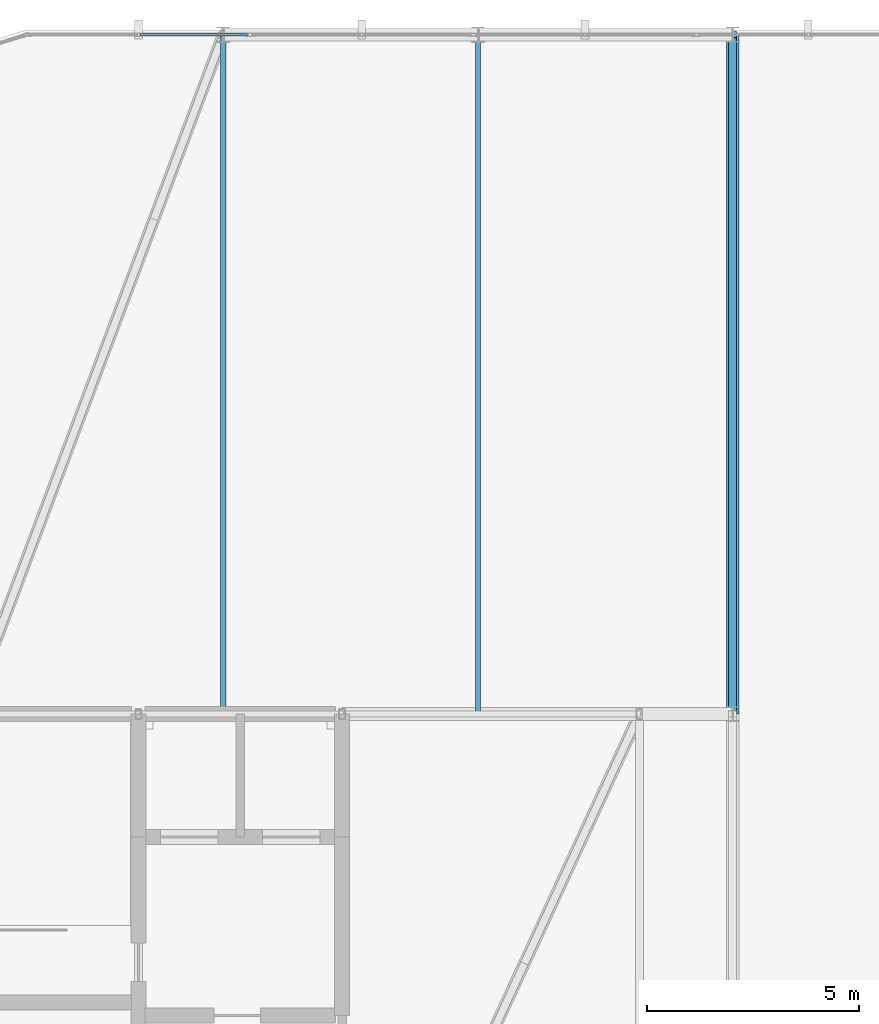
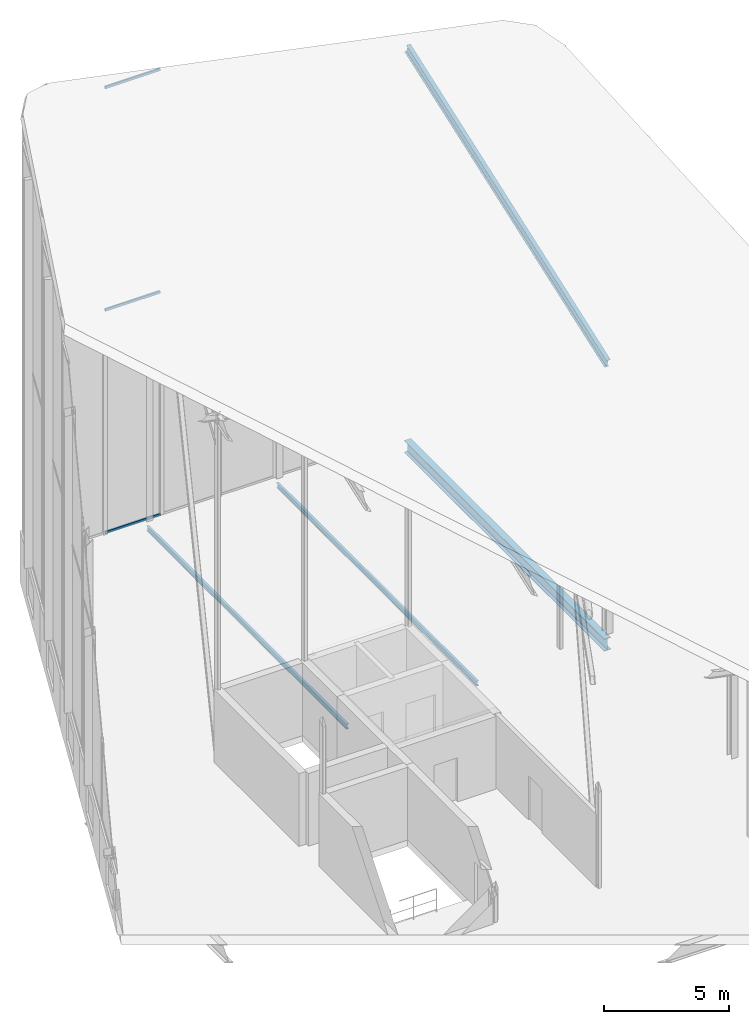
# One storey, part 46 of 74: 4 members, 3 beams, 1 element without a shape of its own.
"""IFC4 building model written with IfcOpenShell, lengths in metres."""

from ifc_helpers import new_model, si_unit, direction, frame, origin, origin_2d, place, context, subcontext, project, spatial, hollow_rectangle, i_section, extrude, material, layer, layer_set, material_profile, profile_set, type_object, element, aggregate, save


model = new_model("IFC4")

# Units and contexts
model_context = context("Model", 3, precision=1e-05, world=origin(), true_north=direction((0.0, 1.0)))
body_context = subcontext(model_context, "Body", "Model", "MODEL_VIEW")
ifc_project = project(units=[si_unit("LENGTHUNIT", "METRE"), si_unit("AREAUNIT", "SQUARE_METRE"), si_unit("VOLUMEUNIT", "CUBIC_METRE"), si_unit("PLANEANGLEUNIT", "RADIAN"), si_unit("MASSUNIT", "GRAM", prefix="KILO")], contexts=[model_context])

# Site, building, storey
site_placement = place(None, origin())
site = spatial("IfcSite", under=ifc_project, at=site_placement, CompositionType="ELEMENT")
building_placement = place(site_placement, origin())
building = spatial("IfcBuilding", under=site, at=building_placement, Name="Keshet Zoharim Tower", CompositionType="ELEMENT")
storey_placement = place(building_placement, frame((0.0, 0.0, 320.0)))
storey = spatial("IfcBuildingStorey", under=building, at=storey_placement, Name="RF", CompositionType="ELEMENT", Elevation=320.0)

# Beams
ifc_material_1 = material(Name="Steel S355", Category="steel")
ifc_material_profile_1 = material_profile(ifc_material_1, i_section(OverallWidth=0.1201171875, OverallDepth=0.239990234375, WebThickness=0.006103515625, FlangeThickness=0.009765625, FilletRadius=0.014892578125, at=origin_2d()), Name="IPE240")
ifc_profile_set_1 = profile_set([ifc_material_profile_1], Name="Steel S355")
beam_type_1 = type_object("IfcBeamType", Name="BM-JST-IP240", PredefinedType="JOIST", material=ifc_profile_set_1)
for number, where, z_axis, x_axis, name in (
    (1, (21.0, 37.89990234375, -0.429931640625), (0.0, 1.0, 0.0), (-1.0, 0.0, 0.0), "RF Secondary Floor Joist J-001"),
    (2, (27.0, 37.89990234375, -0.429931640625), (0.0, 1.0, 0.0), (-1.0, 0.0, 0.0), "RF Secondary Floor Joist J-002"),
):
    element("IfcBeam", number, at=place(storey_placement, frame(where, z_axis=z_axis, x_axis=x_axis)), inside=storey, type_object=beam_type_1, Name=name, PredefinedType="JOIST", context=body_context, shape_type="SweptSolid", body=[
        extrude(i_section(OverallWidth=0.1201171875, OverallDepth=0.239990234375, WebThickness=0.006103515625, FlangeThickness=0.009765625, FilletRadius=0.014892578125, at=origin_2d()), origin(), (0.0, 0.0, 1.0), 16.0),
    ])
ifc_material_profile_2 = material_profile(ifc_material_1, i_section(OverallWidth=0.300048828125, OverallDepth=0.60009765625, WebThickness=0.015380859375, FlangeThickness=0.030029296875, FilletRadius=0.027099609375, at=origin_2d()), Name="HEB600")
ifc_profile_set_2 = profile_set([ifc_material_profile_2], Name="Steel S355")
beam_type_2 = type_object("IfcBeamType", Name="BM-LNG-HB600", PredefinedType="BEAM", material=ifc_profile_set_2)
beam_placement = place(storey_placement, frame((33.0, 37.89990234375, -0.610107421875), z_axis=(0.0, 1.0, 0.0), x_axis=(-1.0, 0.0, 0.0)))
element("IfcBeam", 3, at=beam_placement, inside=storey, type_object=beam_type_2, Name="RF Primary Girder Y-009", PredefinedType="BEAM", context=body_context, shape_type="SweptSolid", body=[
    extrude(i_section(OverallWidth=0.300048828125, OverallDepth=0.60009765625, WebThickness=0.015380859375, FlangeThickness=0.030029296875, FilletRadius=0.027099609375, at=origin_2d()), origin(), (0.0, 0.0, 1.0), 16.0),
])

# Curtain wall, members
ifc_material_2 = material(Name="Aluminium 6063-T6", Category="aluminium")
ifc_layer = layer(ifc_material_2, 0.260009765625)
ifc_layer_set = layer_set([ifc_layer], Name="Aluminium 6063-T6")
curtain_wall_type = type_object("IfcCurtainWallType", Name="CW-SYS-06", PredefinedType="NOTDEFINED", material=ifc_layer_set)
curtain_wall_placement = place(storey_placement, origin())
curtain_wall = element("IfcCurtainWall", 4, at=curtain_wall_placement, inside=storey, type_object=curtain_wall_type, Name="Slanted Crown Curtain Wall 11", PredefinedType="NOTDEFINED")
ifc_material_profile_3 = material_profile(ifc_material_2, hollow_rectangle(XDim=0.074951171875, YDim=0.1201171875, WallThickness=0.00390625, at=origin_2d()), Name="TRN-75x120")
ifc_profile_set_3 = profile_set([ifc_material_profile_3], Name="Aluminium 6063-T6")
member_type_1 = type_object("IfcMemberType", Name="CWT-T12", PredefinedType="USERDEFINED", material=ifc_profile_set_3)
member_1_placement = place(storey_placement, frame((19.035888671875, 53.89990234375, 0.032470703125), z_axis=(1.0, 0.0, 0.0), x_axis=(0.0, 1.0, 0.0)))
member_1 = element("IfcMember", 5, at=member_1_placement, type_object=member_type_1, Name="CW-06 transom 2.1", ObjectType="TRANSOM", PredefinedType="USERDEFINED", context=body_context, shape_type="SweptSolid", body=[
    extrude(hollow_rectangle(XDim=0.074951171875, YDim=0.1201171875, WallThickness=0.00390625, at=origin_2d()), origin(), (0.0, 0.0, 1.0), 2.5322265625),
])
member_2_placement = place(storey_placement, frame((19.035888671875, 53.89990234375, 10.89501953125), z_axis=(1.0, 0.0, 0.0), x_axis=(0.0, 1.0, 0.0)))
member_2 = element("IfcMember", 6, at=member_2_placement, type_object=member_type_1, Name="CW-06 transom 2.2", ObjectType="TRANSOM", PredefinedType="USERDEFINED", context=body_context, shape_type="SweptSolid", body=[
    extrude(hollow_rectangle(XDim=0.074951171875, YDim=0.1201171875, WallThickness=0.00390625, at=origin_2d()), origin(), (0.0, 0.0, 1.0), 2.5322265625),
])
member_3_placement = place(storey_placement, frame((19.035888671875, 53.89990234375, 21.758544921875), z_axis=(1.0, 0.0, 0.0), x_axis=(0.0, 1.0, 0.0)))
member_3 = element("IfcMember", 7, at=member_3_placement, type_object=member_type_1, Name="CW-06 transom 2.3", ObjectType="TRANSOM", PredefinedType="USERDEFINED", context=body_context, shape_type="SweptSolid", body=[
    extrude(hollow_rectangle(XDim=0.074951171875, YDim=0.1201171875, WallThickness=0.00390625, at=origin_2d()), origin(), (0.0, 0.0, 1.0), 2.5322265625),
])
aggregate(curtain_wall, [member_1, member_2, member_3])

# Member
ifc_material_profile_4 = material_profile(ifc_material_1, i_section(OverallWidth=0.18994140625, OverallDepth=0.449951171875, WebThickness=0.009521484375, FlangeThickness=0.0146484375, FilletRadius=0.02099609375, at=origin_2d()), Name="IPE450")
ifc_profile_set_4 = profile_set([ifc_material_profile_4], Name="Steel S355")
member_type_2 = type_object("IfcMemberType", Name="MB-RAF-IP450", PredefinedType="RAFTER", material=ifc_profile_set_4)
member_4_placement = place(storey_placement, frame((33.0, 37.89990234375, 13.093994140625), z_axis=(0.0, 0.94192257111, 0.335830120797), x_axis=(-1.0, 0.0, 0.0)))
element("IfcMember", 8, at=member_4_placement, inside=storey, type_object=member_type_2, Name="Crown Raking Rafter 14", PredefinedType="RAFTER", context=body_context, shape_type="SweptSolid", body=[
    extrude(i_section(OverallWidth=0.18994140625, OverallDepth=0.449951171875, WebThickness=0.009521484375, FlangeThickness=0.0146484375, FilletRadius=0.02099609375, at=origin_2d()), origin(), (0.0, 0.0, 1.0), 16.986572265625),
])

save(model, "model.ifc")
